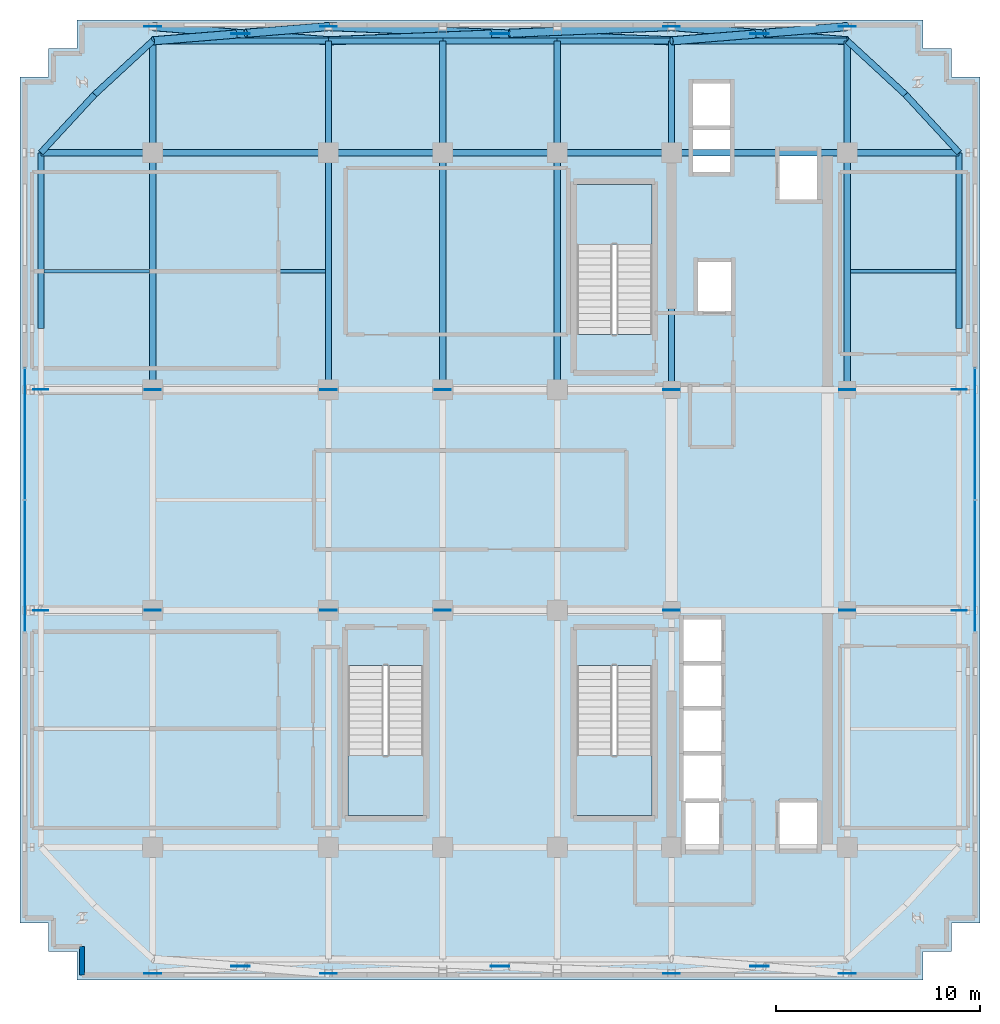
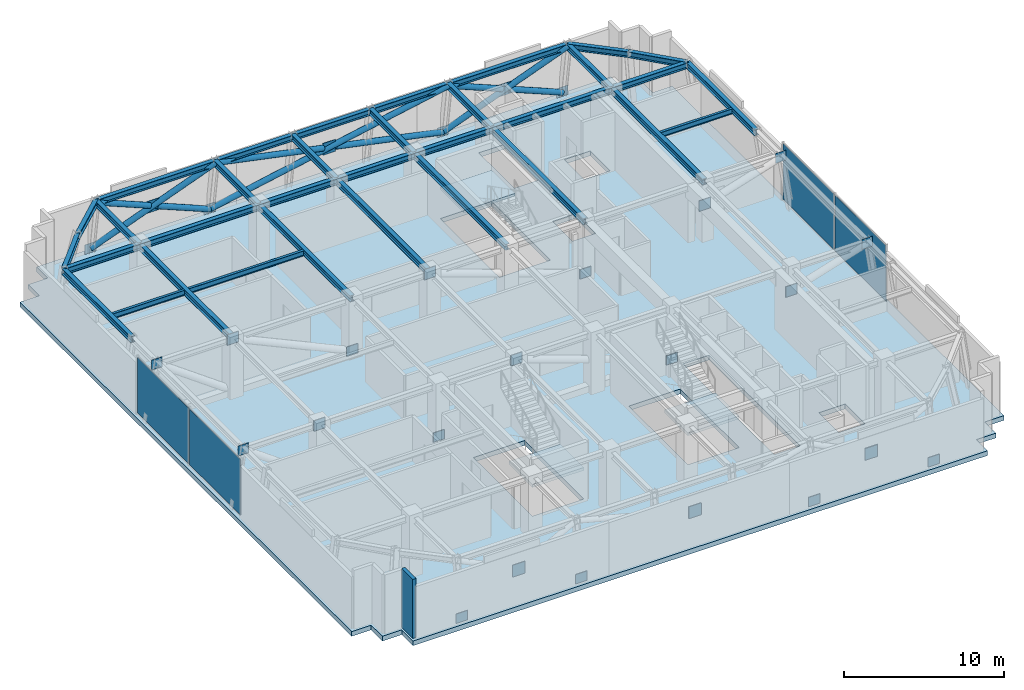
# One storey, part 8 of 15: 33 beams, 32 plates, 9 members, 4 slabs, 1 wall, 5 elements without a shape of their own.
"""IFC4 building model written with IfcOpenShell, lengths in metres."""

from ifc_helpers import new_model, si_unit, direction, frame, frame_2d, origin, origin_2d, place, context, subcontext, project, spatial, polyline, rectangle, hollow_circle, i_section, outline, extrude, source, transform, mapped, material, layer, layer_set, material_profile, profile_set, type_object, element, aggregate, save


model = new_model("IFC4")

# Units and contexts
model_context = context("Model", 3, precision=1e-05, world=origin(), true_north=direction((0.0, 1.0)))
body_context = subcontext(model_context, "Body", "Model", "MODEL_VIEW")
ifc_project = project(units=[si_unit("LENGTHUNIT", "METRE"), si_unit("AREAUNIT", "SQUARE_METRE"), si_unit("VOLUMEUNIT", "CUBIC_METRE"), si_unit("PLANEANGLEUNIT", "RADIAN"), si_unit("MASSUNIT", "GRAM", prefix="KILO")], contexts=[model_context])

# Site, building, storey
site_placement = place(None, origin())
site = spatial("IfcSite", under=ifc_project, at=site_placement, CompositionType="ELEMENT")
building_placement = place(site_placement, origin())
building = spatial("IfcBuilding", under=site, at=building_placement, Name="Nahalor Promenade Grand Hotel", CompositionType="ELEMENT")
storey_placement = place(building_placement, frame((0.0, 0.0, 261.5)))
storey = spatial("IfcBuildingStorey", under=building, at=storey_placement, Name="L67", CompositionType="ELEMENT", Elevation=261.5)

# Beams
ifc_material_1 = material(Name="Steel S355JR", Category="steel")
ifc_material_profile_1 = material_profile(ifc_material_1, i_section(OverallWidth=0.3, OverallDepth=0.45, WebThickness=0.014, FlangeThickness=0.026, at=origin_2d()), Name="HEB 450")
ifc_profile_set_1 = profile_set([ifc_material_profile_1], Name="Steel S355JR")
beam_type_1 = type_object("IfcBeamType", Name="Beam-Spandrel-HEB450", PredefinedType="SPANDREL", material=ifc_profile_set_1)
shared_shape_1 = source(origin(), body_context, "Body", "SweptSolid", [
    extrude(i_section(OverallWidth=0.3, OverallDepth=0.45, WebThickness=0.014, FlangeThickness=0.026, at=origin_2d()), origin(), (0.0, 0.0, 1.0), 8.60009765625),
])
for number, where, z_axis, x_axis, name in (
    (1, (-17.0, 22.47998046875, 4.27490234375), (1.0, 0.0, 0.0), (0.0, 1.0, 0.0), "BM-L67-SP-N-0"),
    (2, (8.39990234375, 22.47998046875, 4.27490234375), (1.0, 0.0, 0.0), (0.0, 1.0, 0.0), "BM-L67-SP-N-4"),
    (3, (-22.47998046875, 8.39990234375, 4.27490234375), (0.0, 1.0, 0.0), (-1.0, 0.0, 0.0), "BM-L67-SP-W-4"),
    (4, (22.47998046875, 8.39990234375, 4.27490234375), (0.0, 1.0, 0.0), (-1.0, 0.0, 0.0), "BM-L67-SP-E-4"),
):
    element("IfcBeam", number, at=place(storey_placement, frame(where, z_axis=z_axis, x_axis=x_axis)), inside=storey, type_object=beam_type_1, Name=name, PredefinedType="SPANDREL", context=body_context, shape_type="MappedRepresentation", body=[
        mapped(shared_shape_1, transform((0.0, 0.0, 0.0), scale=1.0)),
    ])
shared_shape_2 = source(origin(), body_context, "Body", "SweptSolid", [
    extrude(i_section(OverallWidth=0.3, OverallDepth=0.45, WebThickness=0.014, FlangeThickness=0.026, at=origin_2d()), origin(), (0.0, 0.0, 1.0), 5.599853515625),
])
for number, where, z_axis, x_axis, name in (
    (5, (-8.39990234375, 22.47998046875, 4.27490234375), (1.0, 0.0, 0.0), (0.0, 1.0, 0.0), "BM-L67-SP-N-1"),
    (6, (2.800048828125, 22.47998046875, 4.27490234375), (1.0, 0.0, 0.0), (0.0, 1.0, 0.0), "BM-L67-SP-N-3"),
):
    element("IfcBeam", number, at=place(storey_placement, frame(where, z_axis=z_axis, x_axis=x_axis)), inside=storey, type_object=beam_type_1, Name=name, PredefinedType="SPANDREL", context=body_context, shape_type="MappedRepresentation", body=[
        mapped(shared_shape_2, transform((0.0, 0.0, 0.0), scale=1.0)),
    ])
shared_shape_3 = source(origin(), body_context, "Body", "SweptSolid", [
    extrude(i_section(OverallWidth=0.3, OverallDepth=0.45, WebThickness=0.014, FlangeThickness=0.026, at=origin_2d()), origin(), (0.0, 0.0, 1.0), 5.60009765625),
])
beam_1_placement = place(storey_placement, frame((-2.800048828125, 22.47998046875, 4.27490234375), z_axis=(1.0, 0.0, 0.0), x_axis=(0.0, 1.0, 0.0)))
element("IfcBeam", 7, at=beam_1_placement, inside=storey, type_object=beam_type_1, Name="BM-L67-SP-N-2", PredefinedType="SPANDREL", context=body_context, shape_type="MappedRepresentation", body=[
    mapped(shared_shape_3, transform((0.0, 0.0, 0.0), scale=1.0)),
])
shared_shape_4 = source(origin(), body_context, "Body", "SweptSolid", [
    extrude(i_section(OverallWidth=0.3, OverallDepth=0.45, WebThickness=0.014, FlangeThickness=0.026, at=origin_2d()), origin(), (0.0, 0.0, 1.0), 3.878173828125),
])
for number, where, z_axis, x_axis, name in (
    (8, (-17.0, 22.47998046875, 4.27490234375), (-0.73492893846, -0.678144125843, 0.0), (0.678144125843, -0.73492893846, 0.0), "BM-L67-SPC-NW-1"),
    (9, (-19.85009765625, 19.85009765625, 4.27490234375), (-0.678144125843, -0.73492893846, 0.0), (0.73492893846, -0.678144125843, 0.0), "BM-L67-SPC-NW-2"),
    (10, (17.0, 22.47998046875, 4.27490234375), (0.73492893846, -0.678144125843, 0.0), (0.678144125843, 0.73492893846, 0.0), "BM-L67-SPC-NE-1"),
    (11, (19.85009765625, 19.85009765625, 4.27490234375), (0.678144125843, -0.73492893846, 0.0), (0.73492893846, 0.678144125843, 0.0), "BM-L67-SPC-NE-2"),
):
    element("IfcBeam", number, at=place(storey_placement, frame(where, z_axis=z_axis, x_axis=x_axis)), inside=storey, type_object=beam_type_1, Name=name, PredefinedType="SPANDREL", context=body_context, shape_type="MappedRepresentation", body=[
        mapped(shared_shape_4, transform((0.0, 0.0, 0.0), scale=1.0)),
    ])
ifc_material_profile_2 = material_profile(ifc_material_1, i_section(OverallWidth=0.3, OverallDepth=0.45, WebThickness=0.014, FlangeThickness=0.026, at=origin_2d()), Name="HEB 450")
ifc_profile_set_2 = profile_set([ifc_material_profile_2], Name="Steel S355JR")
beam_type_2 = type_object("IfcBeamType", Name="Beam-Girder-HEB450", PredefinedType="BEAM", material=ifc_profile_set_2)
shared_shape_5 = source(origin(), body_context, "Body", "SweptSolid", [
    extrude(i_section(OverallWidth=0.3, OverallDepth=0.45, WebThickness=0.014, FlangeThickness=0.026, at=origin_2d()), origin(), (0.0, 0.0, 1.0), 8.60009765625),
])
for number, where, z_axis, x_axis, name in (
    (12, (-17.0, 17.0, 4.27490234375), (1.0, 0.0, 0.0), (0.0, 1.0, 0.0), "BM-L67-GX-3-1"),
    (13, (8.39990234375, 17.0, 4.27490234375), (1.0, 0.0, 0.0), (0.0, 1.0, 0.0), "BM-L67-GX-3-5"),
):
    element("IfcBeam", number, at=place(storey_placement, frame(where, z_axis=z_axis, x_axis=x_axis)), inside=storey, type_object=beam_type_2, Name=name, PredefinedType="BEAM", context=body_context, shape_type="MappedRepresentation", body=[
        mapped(shared_shape_5, transform((0.0, 0.0, 0.0), scale=1.0)),
    ])
shared_shape_6 = source(origin(), body_context, "Body", "SweptSolid", [
    extrude(i_section(OverallWidth=0.3, OverallDepth=0.45, WebThickness=0.014, FlangeThickness=0.026, at=origin_2d()), origin(), (0.0, 0.0, 1.0), 5.599853515625),
])
for number, where, z_axis, x_axis, name in (
    (14, (-8.39990234375, 17.0, 4.27490234375), (1.0, 0.0, 0.0), (0.0, 1.0, 0.0), "BM-L67-GX-3-2"),
    (15, (2.800048828125, 17.0, 4.27490234375), (1.0, 0.0, 0.0), (0.0, 1.0, 0.0), "BM-L67-GX-3-4"),
):
    element("IfcBeam", number, at=place(storey_placement, frame(where, z_axis=z_axis, x_axis=x_axis)), inside=storey, type_object=beam_type_2, Name=name, PredefinedType="BEAM", context=body_context, shape_type="MappedRepresentation", body=[
        mapped(shared_shape_6, transform((0.0, 0.0, 0.0), scale=1.0)),
    ])
shared_shape_7 = source(origin(), body_context, "Body", "SweptSolid", [
    extrude(i_section(OverallWidth=0.3, OverallDepth=0.45, WebThickness=0.014, FlangeThickness=0.026, at=origin_2d()), origin(), (0.0, 0.0, 1.0), 5.60009765625),
])
beam_2_placement = place(storey_placement, frame((-2.800048828125, 17.0, 4.27490234375), z_axis=(1.0, 0.0, 0.0), x_axis=(0.0, 1.0, 0.0)))
element("IfcBeam", 16, at=beam_2_placement, inside=storey, type_object=beam_type_2, Name="BM-L67-GX-3-3", PredefinedType="BEAM", context=body_context, shape_type="MappedRepresentation", body=[
    mapped(shared_shape_7, transform((0.0, 0.0, 0.0), scale=1.0)),
])
shared_shape_8 = source(origin(), body_context, "Body", "SweptSolid", [
    extrude(i_section(OverallWidth=0.3, OverallDepth=0.45, WebThickness=0.014, FlangeThickness=0.026, at=origin_2d()), origin(), (0.0, 0.0, 1.0), 11.60009765625),
])
for number, where, z_axis, x_axis, name in (
    (17, (-17.0, 5.39990234375, 4.27490234375), (0.0, 1.0, 0.0), (-1.0, 0.0, 0.0), "BM-L67-GY-0-3"),
    (18, (-8.39990234375, 5.39990234375, 4.27490234375), (0.0, 1.0, 0.0), (-1.0, 0.0, 0.0), "BM-L67-GY-1-3"),
    (19, (-2.800048828125, 5.39990234375, 4.27490234375), (0.0, 1.0, 0.0), (-1.0, 0.0, 0.0), "BM-L67-GY-2-3"),
    (20, (2.800048828125, 5.39990234375, 4.27490234375), (0.0, 1.0, 0.0), (-1.0, 0.0, 0.0), "BM-L67-GY-3-3"),
    (21, (8.39990234375, 5.39990234375, 4.27490234375), (0.0, 1.0, 0.0), (-1.0, 0.0, 0.0), "BM-L67-GY-4-3"),
    (22, (17.0, 5.39990234375, 4.27490234375), (0.0, 1.0, 0.0), (-1.0, 0.0, 0.0), "BM-L67-GY-5-3"),
):
    element("IfcBeam", number, at=place(storey_placement, frame(where, z_axis=z_axis, x_axis=x_axis)), inside=storey, type_object=beam_type_2, Name=name, PredefinedType="BEAM", context=body_context, shape_type="MappedRepresentation", body=[
        mapped(shared_shape_8, transform((0.0, 0.0, 0.0), scale=1.0)),
    ])
ifc_material_profile_3 = material_profile(ifc_material_1, i_section(OverallWidth=0.18, OverallDepth=0.4, WebThickness=0.0086, FlangeThickness=0.0135, at=origin_2d()), Name="IPE 400")
ifc_profile_set_3 = profile_set([ifc_material_profile_3], Name="Steel S355JR")
beam_type_3 = type_object("IfcBeamType", Name="Beam-Joist-IPE400", PredefinedType="JOIST", material=ifc_profile_set_3)
shared_shape_9 = source(origin(), body_context, "Body", "SweptSolid", [
    extrude(i_section(OverallWidth=0.18, OverallDepth=0.4, WebThickness=0.0086, FlangeThickness=0.0135, at=origin_2d()), origin(), (0.0, 0.0, 1.0), 8.300048828125),
])
beam_3_placement = place(storey_placement, frame((-16.85009765625, 11.199951171875, 4.300048828125), z_axis=(1.0, 0.0, 0.0), x_axis=(0.0, 1.0, 0.0)))
element("IfcBeam", 23, at=beam_3_placement, inside=storey, type_object=beam_type_3, Name="BM-L67-JSW-1-1", PredefinedType="JOIST", context=body_context, shape_type="MappedRepresentation", body=[
    mapped(shared_shape_9, transform((0.0, 0.0, 0.0), scale=1.0)),
])
shared_shape_10 = source(origin(), body_context, "Body", "SweptSolid", [
    extrude(i_section(OverallWidth=0.3, OverallDepth=0.45, WebThickness=0.014, FlangeThickness=0.026, at=origin_2d()), origin(), (0.0, 0.0, 1.0), 5.47998046875),
])
for number, where, z_axis, x_axis, name in (
    (24, (-22.47998046875, 17.0, 4.27490234375), (1.0, 0.0, 0.0), (0.0, 1.0, 0.0), "BM-L67-GX-3-0"),
    (25, (17.0, 17.0, 4.27490234375), (1.0, 0.0, 0.0), (0.0, 1.0, 0.0), "BM-L67-GX-3-6"),
    (26, (-17.0, 17.0, 4.27490234375), (0.0, 1.0, 0.0), (-1.0, 0.0, 0.0), "BM-L67-GY-0-4"),
    (27, (-8.39990234375, 17.0, 4.27490234375), (0.0, 1.0, 0.0), (-1.0, 0.0, 0.0), "BM-L67-GY-1-4"),
    (28, (-2.800048828125, 17.0, 4.27490234375), (0.0, 1.0, 0.0), (-1.0, 0.0, 0.0), "BM-L67-GY-2-4"),
    (29, (2.800048828125, 17.0, 4.27490234375), (0.0, 1.0, 0.0), (-1.0, 0.0, 0.0), "BM-L67-GY-3-4"),
    (30, (8.39990234375, 17.0, 4.27490234375), (0.0, 1.0, 0.0), (-1.0, 0.0, 0.0), "BM-L67-GY-4-4"),
    (31, (17.0, 17.0, 4.27490234375), (0.0, 1.0, 0.0), (-1.0, 0.0, 0.0), "BM-L67-GY-5-4"),
):
    element("IfcBeam", number, at=place(storey_placement, frame(where, z_axis=z_axis, x_axis=x_axis)), inside=storey, type_object=beam_type_2, Name=name, PredefinedType="BEAM", context=body_context, shape_type="MappedRepresentation", body=[
        mapped(shared_shape_10, transform((0.0, 0.0, 0.0), scale=1.0)),
    ])
shared_shape_11 = source(origin(), body_context, "Body", "SweptSolid", [
    extrude(i_section(OverallWidth=0.18, OverallDepth=0.4, WebThickness=0.0086, FlangeThickness=0.0135, at=origin_2d()), origin(), (0.0, 0.0, 1.0), 5.18017578125),
])
for number, where, z_axis, x_axis, name in (
    (32, (-22.330078125, 11.199951171875, 4.300048828125), (1.0, 0.0, 0.0), (0.0, 1.0, 0.0), "BM-L67-JSW-1-0"),
    (33, (17.14990234375, 11.199951171875, 4.300048828125), (1.0, 0.0, 0.0), (0.0, 1.0, 0.0), "BM-L67-JSE-1-2"),
):
    element("IfcBeam", number, at=place(storey_placement, frame(where, z_axis=z_axis, x_axis=x_axis)), inside=storey, type_object=beam_type_3, Name=name, PredefinedType="JOIST", context=body_context, shape_type="MappedRepresentation", body=[
        mapped(shared_shape_11, transform((0.0, 0.0, 0.0), scale=1.0)),
    ])

# Members
ifc_material_2 = material(Name="Steel S355J2", Category="steel")
ifc_material_profile_4 = material_profile(ifc_material_2, hollow_circle(Radius=0.2032, WallThickness=0.02, at=origin_2d()), Name="CHS 406.4x20")
ifc_profile_set_4 = profile_set([ifc_material_profile_4], Name="Steel S355J2")
member_type = type_object("IfcMemberType", Name="Mem-BeltDiag-CHS406", PredefinedType="BRACE", material=ifc_profile_set_4)
shared_shape_12 = source(origin(), body_context, "Body", "SweptSolid", [
    extrude(hollow_circle(Radius=0.2032, WallThickness=0.02, at=origin_2d()), origin(), (0.0, 0.0, 1.0), 9.48974609375),
])
for number, where, z_axis, x_axis, name in (
    (34, (-17.0, 23.179931640625, 0.300048828125), (0.906259433855, -0.073759319731, 0.41623719356), (0.081120514078, 0.99670430028, 0.0), "BT-L67-N-D1-0"),
    (35, (8.39990234375, 23.179931640625, 0.300048828125), (0.906259433855, -0.073759319731, 0.41623719356), (0.081120514078, 0.99670430028, 0.0), "BT-L67-N-D1-2"),
):
    element("IfcMember", number, at=place(storey_placement, frame(where, z_axis=z_axis, x_axis=x_axis)), inside=storey, type_object=member_type, Name=name, PredefinedType="BRACE", context=body_context, shape_type="MappedRepresentation", body=[
        mapped(shared_shape_12, transform((0.0, 0.0, 0.0), scale=1.0)),
    ])
shared_shape_13 = source(origin(), body_context, "Body", "SweptSolid", [
    extrude(hollow_circle(Radius=0.2032, WallThickness=0.02, at=origin_2d()), origin(), (0.0, 0.0, 1.0), 4.466552734375),
])
for number, where, z_axis, x_axis, name in (
    (36, (-8.39990234375, 23.179931640625, 0.300048828125), (-0.906262059154, -0.073736279722, 0.416235559738), (0.081095107965, -0.996706367725, 0.0), "BT-L67-N-D2-0A"),
    (37, (-12.9521484375, 22.8095703125, 2.390869140625), (-0.906258405204, -0.073790642161, 0.416233881522), (0.081154827167, -0.996701506986, 0.0), "BT-L67-N-D2-0B"),
    (38, (17.0, 23.179931640625, 0.300048828125), (-0.906262059154, -0.073736279722, 0.416235559738), (0.081095107965, -0.996706367725, 0.0), "BT-L67-N-D2-2A"),
    (39, (12.44775390625, 22.8095703125, 2.390869140625), (-0.906258405204, -0.073790642161, 0.416233881522), (0.081154827167, -0.996701506986, 0.0), "BT-L67-N-D2-2B"),
):
    element("IfcMember", number, at=place(storey_placement, frame(where, z_axis=z_axis, x_axis=x_axis)), inside=storey, type_object=member_type, Name=name, PredefinedType="BRACE", context=body_context, shape_type="MappedRepresentation", body=[
        mapped(shared_shape_13, transform((0.0, 0.0, 0.0), scale=1.0)),
    ])
shared_shape_14 = source(origin(), body_context, "Body", "SweptSolid", [
    extrude(hollow_circle(Radius=0.2032, WallThickness=0.02, at=origin_2d()), origin(), (0.0, 0.0, 1.0), 17.272216796875),
])
member_placement = place(storey_placement, frame((-8.39990234375, 23.179931640625, 0.300048828125), z_axis=(0.972655520728, -0.040524957535, 0.228689671421), x_axis=(0.041628128947, 0.999133173746, 0.0)))
element("IfcMember", 40, at=member_placement, inside=storey, type_object=member_type, Name="BT-L67-N-D1-1", PredefinedType="BRACE", context=body_context, shape_type="MappedRepresentation", body=[
    mapped(shared_shape_14, transform((0.0, 0.0, 0.0), scale=1.0)),
])
shared_shape_15 = source(origin(), body_context, "Body", "SweptSolid", [
    extrude(hollow_circle(Radius=0.2032, WallThickness=0.02, at=origin_2d()), origin(), (0.0, 0.0, 1.0), 8.172607421875),
])
for number, where, z_axis, x_axis, name in (
    (41, (8.39990234375, 23.179931640625, 0.300048828125), (-0.972659339385, -0.040507557254, 0.228676512377), (0.041610122871, -0.999133923793, 0.0), "BT-L67-N-D2-1A"),
    (42, (-0.45068359375, 22.811279296875, 2.381103515625), (-0.972658161962, -0.040537381013, 0.22867623556), (0.041640755613, -0.999132647586, 0.0), "BT-L67-N-D2-1B"),
):
    element("IfcMember", number, at=place(storey_placement, frame(where, z_axis=z_axis, x_axis=x_axis)), inside=storey, type_object=member_type, Name=name, PredefinedType="BRACE", context=body_context, shape_type="MappedRepresentation", body=[
        mapped(shared_shape_15, transform((0.0, 0.0, 0.0), scale=1.0)),
    ])

# Stair, slab
ifc_material_3 = material(Name="Concrete B-50 (C40/50)", Category="concrete")
stair_type_1 = type_object("IfcStairType", Name="Stair-ST1", PredefinedType="HALF_TURN_STAIR", material=ifc_material_3)
stair_1_placement = place(storey_placement, origin())
stair_1 = element("IfcStair", 43, at=stair_1_placement, inside=storey, type_object=stair_type_1, Name="L67 ST1", PredefinedType="HALF_TURN_STAIR")
ifc_layer_1 = layer(ifc_material_3, 0.199951171875)
ifc_layer_set_1 = layer_set([ifc_layer_1], Name="Concrete B-50 (C40/50)")
slab_type_1 = type_object("IfcSlabType", Name="Landing-ST1", PredefinedType="LANDING", material=ifc_layer_set_1)
slab_1_placement = place(storey_placement, frame((0.0, 0.0, 2.199951171875)))
slab_1 = element("IfcSlab", 44, at=slab_1_placement, type_object=slab_type_1, Name="ST1 landing 1", PredefinedType="LANDING", context=body_context, shape_type="SweptSolid", body=[
    extrude(outline(polyline([(7.449951171875, 12.52001953125), (7.449951171875, 15.449951171875), (3.75, 15.449951171875), (3.75, 12.52001953125), (7.449951171875, 12.52001953125)])), origin(), (0.0, 0.0, 1.0), 0.199951171875),
])
aggregate(stair_1, [slab_1])

stair_type_2 = type_object("IfcStairType", Name="Stair-ST2", PredefinedType="HALF_TURN_STAIR", material=ifc_material_3)
stair_2_placement = place(storey_placement, origin())
stair_2 = element("IfcStair", 45, at=stair_2_placement, inside=storey, type_object=stair_type_2, Name="L67 ST2", PredefinedType="HALF_TURN_STAIR")
ifc_layer_2 = layer(ifc_material_3, 0.2099609375)
ifc_layer_set_2 = layer_set([ifc_layer_2], Name="Concrete B-50 (C40/50)")
slab_type_2 = type_object("IfcSlabType", Name="Landing-ST2", PredefinedType="LANDING", material=ifc_layer_set_2)
slab_2_placement = place(storey_placement, frame((0.0, 0.0, 2.18994140625)))
slab_2 = element("IfcSlab", 46, at=slab_2_placement, type_object=slab_type_2, Name="ST2 landing 1", PredefinedType="LANDING", context=body_context, shape_type="SweptSolid", body=[
    extrude(outline(polyline([(3.75, -12.52001953125), (3.75, -15.449951171875), (7.449951171875, -15.449951171875), (7.449951171875, -12.52001953125), (3.75, -12.52001953125)])), origin(), (0.0, 0.0, 1.0), 0.2099609375),
])
aggregate(stair_2, [slab_2])

stair_type_3 = type_object("IfcStairType", Name="Stair-ST3", PredefinedType="HALF_TURN_STAIR", material=ifc_material_3)
stair_3_placement = place(storey_placement, origin())
stair_3 = element("IfcStair", 47, at=stair_3_placement, inside=storey, type_object=stair_type_3, Name="L67 ST3", PredefinedType="HALF_TURN_STAIR")
ifc_layer_3 = layer(ifc_material_3, 0.219970703125)
ifc_layer_set_3 = layer_set([ifc_layer_3], Name="Concrete B-50 (C40/50)")
slab_type_3 = type_object("IfcSlabType", Name="Landing-ST3", PredefinedType="LANDING", material=ifc_layer_set_3)
slab_3_placement = place(storey_placement, frame((0.0, 0.0, 2.179931640625)))
slab_3 = element("IfcSlab", 48, at=slab_3_placement, type_object=slab_type_3, Name="ST3 landing 1", PredefinedType="LANDING", context=body_context, shape_type="SweptSolid", body=[
    extrude(outline(polyline([(-7.449951171875, -12.52001953125), (-7.449951171875, -15.449951171875), (-3.75, -15.449951171875), (-3.75, -12.52001953125), (-7.449951171875, -12.52001953125)])), origin(), (0.0, 0.0, 1.0), 0.219970703125),
])
aggregate(stair_3, [slab_3])

# Slab
ifc_material_4 = material(Name="Concrete B-60 (C50/60)", Category="concrete")
ifc_layer_4 = layer(ifc_material_4, 0.360107421875)
ifc_layer_set_4 = layer_set([ifc_layer_4], Name="Concrete B-60 (C50/60)")
slab_type_4 = type_object("IfcSlabType", Name="Slab-Refuge-360", PredefinedType="FLOOR", material=ifc_layer_set_4)
slab_4_placement = place(storey_placement, frame((0.0, 0.0, -0.360107421875)))
element("IfcSlab", 49, at=slab_4_placement, inside=storey, type_object=slab_type_4, Name="L67 Suspended Structural Floor Slab", PredefinedType="FLOOR", context=body_context, shape_type="SweptSolid", body=[
    extrude(outline(polyline([(-20.699951171875, -23.5), (20.699951171875, -23.5), (20.699951171875, -22.10009765625), (22.10009765625, -22.10009765625), (22.10009765625, -20.699951171875), (23.5, -20.699951171875), (23.5, 20.699951171875), (22.10009765625, 20.699951171875), (22.10009765625, 22.10009765625), (20.699951171875, 22.10009765625), (20.699951171875, 23.5), (-20.699951171875, 23.5), (-20.699951171875, 22.10009765625), (-22.10009765625, 22.10009765625), (-22.10009765625, 20.699951171875), (-23.5, 20.699951171875), (-23.5, -20.699951171875), (-22.10009765625, -20.699951171875), (-22.10009765625, -22.10009765625), (-20.699951171875, -22.10009765625), (-20.699951171875, -23.5)]), holes=[polyline([(3.75, 8.10009765625), (7.449951171875, 8.10009765625), (7.449951171875, 15.449951171875), (3.75, 15.449951171875), (3.75, 8.10009765625)]), polyline([(3.75, -15.449951171875), (7.449951171875, -15.449951171875), (7.449951171875, -8.10009765625), (3.75, -8.10009765625), (3.75, -15.449951171875)]), polyline([(-7.449951171875, -15.449951171875), (-3.75, -15.449951171875), (-3.75, -8.10009765625), (-7.449951171875, -8.10009765625), (-7.449951171875, -15.449951171875)]), polyline([(8.9599609375, -17.18994140625), (10.840087890625, -17.18994140625), (10.840087890625, -5.81005859375), (8.9599609375, -5.81005859375), (8.9599609375, -17.18994140625)]), polyline([(9.409912109375, 16.010009765625), (11.2900390625, 16.010009765625), (11.2900390625, 20.43994140625), (9.409912109375, 20.43994140625), (9.409912109375, 16.010009765625)]), polyline([(9.659912109375, 9.2099609375), (11.340087890625, 9.2099609375), (11.340087890625, 11.68994140625), (9.659912109375, 11.68994140625), (9.659912109375, 9.2099609375)]), polyline([(13.659912109375, 14.659912109375), (15.5400390625, 14.659912109375), (15.5400390625, 17.139892578125), (13.659912109375, 17.139892578125), (13.659912109375, 14.659912109375)]), polyline([(13.659912109375, -17.139892578125), (15.5400390625, -17.139892578125), (15.5400390625, -14.659912109375), (13.659912109375, -14.659912109375), (13.659912109375, -17.139892578125)])]), origin(), (0.0, 0.0, 1.0), 0.360107421875),
])

# Plates
ifc_layer_5 = layer(ifc_material_2, 0.035888671875)
ifc_layer_set_5 = layer_set([ifc_layer_5], Name="Steel S355J2")
plate_type_1 = type_object("IfcPlateType", Name="Plate-CrossGusset-36", PredefinedType="USERDEFINED", material=ifc_layer_set_5)
shared_shape_16 = source(origin(), body_context, "Body", "SweptSolid", [
    extrude(rectangle(XDim=0.89990234375, YDim=0.035888671875, at=origin_2d()), origin(), (0.0, 0.0, 1.0), 0.89990234375),
])
for number, where, z_axis, x_axis, name in (
    (50, (-12.699951171875, -22.830078125, 1.824951171875), (0.0, 0.0, 1.0), (1.0, 0.0, 0.0), "PL-L67-BTX-S-0"),
    (51, (0.0, -22.830078125, 1.824951171875), (0.0, 0.0, 1.0), (1.0, 0.0, 0.0), "PL-L67-BTX-S-1"),
    (52, (12.699951171875, -22.830078125, 1.824951171875), (0.0, 0.0, 1.0), (1.0, 0.0, 0.0), "PL-L67-BTX-S-2"),
    (53, (-12.699951171875, 22.830078125, 1.824951171875), (0.0, 0.0, 1.0), (1.0, 0.0, 0.0), "PL-L67-BTX-N-0"),
    (54, (0.0, 22.830078125, 1.824951171875), (0.0, 0.0, 1.0), (1.0, 0.0, 0.0), "PL-L67-BTX-N-1"),
    (55, (12.699951171875, 22.830078125, 1.824951171875), (0.0, 0.0, 1.0), (1.0, 0.0, 0.0), "PL-L67-BTX-N-2"),
):
    element("IfcPlate", number, at=place(storey_placement, frame(where, z_axis=z_axis, x_axis=x_axis)), inside=storey, type_object=plate_type_1, Name=name, ObjectType="GUSSET_PLATE", PredefinedType="USERDEFINED", context=body_context, shape_type="MappedRepresentation", body=[
        mapped(shared_shape_16, transform((0.0, 0.0, 0.0), scale=1.0)),
    ])
ifc_layer_6 = layer(ifc_material_2, 0.031982421875)
ifc_layer_set_6 = layer_set([ifc_layer_6], Name="Steel S355J2")
plate_type_2 = type_object("IfcPlateType", Name="Plate-Gusset-32", PredefinedType="USERDEFINED", material=ifc_layer_set_6)
shared_shape_17 = source(origin(), body_context, "Body", "SweptSolid", [
    extrude(rectangle(XDim=0.800048828125, YDim=0.031982421875, at=origin_2d()), origin(), (0.0, 0.0, 1.0), 0.800048828125),
])
for number, where, z_axis, x_axis, name in (
    (56, (8.39990234375, -5.39990234375, -0.10009765625), (0.0, 0.0, 1.0), (1.0, 0.0, 0.0), "PL-L67-OU-1-1"),
    (57, (-2.800048828125, -5.39990234375, 3.85009765625), (0.0, 0.0, 1.0), (1.0, 0.0, 0.0), "PL-L67-OU-1-2"),
    (58, (-8.39990234375, -5.39990234375, -0.10009765625), (0.0, 0.0, 1.0), (1.0, 0.0, 0.0), "PL-L67-OU-1-3"),
    (59, (-17.0, -5.39990234375, 3.85009765625), (0.0, 0.0, 1.0), (1.0, 0.0, 0.0), "PL-L67-OU-1-4"),
    (60, (17.0, -5.39990234375, 2.14990234375), (0.0, 0.0, 1.0), (1.0, 0.0, 0.0), "PL-L67-OU-1-6"),
    (61, (8.39990234375, 5.39990234375, -0.10009765625), (0.0, 0.0, 1.0), (1.0, 0.0, 0.0), "PL-L67-OU-2-1"),
    (62, (-2.800048828125, 5.39990234375, 3.85009765625), (0.0, 0.0, 1.0), (1.0, 0.0, 0.0), "PL-L67-OU-2-2"),
    (63, (-8.39990234375, 5.39990234375, -0.10009765625), (0.0, 0.0, 1.0), (1.0, 0.0, 0.0), "PL-L67-OU-2-3"),
    (64, (-17.0, 5.39990234375, 3.85009765625), (0.0, 0.0, 1.0), (1.0, 0.0, 0.0), "PL-L67-OU-2-4"),
    (65, (17.0, 5.39990234375, 2.14990234375), (0.0, 0.0, 1.0), (1.0, 0.0, 0.0), "PL-L67-OU-2-6"),
):
    element("IfcPlate", number, at=place(storey_placement, frame(where, z_axis=z_axis, x_axis=x_axis)), inside=storey, type_object=plate_type_2, Name=name, ObjectType="GUSSET_PLATE", PredefinedType="USERDEFINED", context=body_context, shape_type="MappedRepresentation", body=[
        mapped(shared_shape_17, transform((0.0, 0.0, 0.0), scale=1.0)),
    ])
ifc_layer_7 = layer(ifc_material_1, 0.028076171875)
ifc_layer_set_7 = layer_set([ifc_layer_7], Name="Steel S355JR")
plate_type_3 = type_object("IfcPlateType", Name="Plate-Gusset-28", PredefinedType="USERDEFINED", material=ifc_layer_set_7)
shared_shape_18 = source(origin(), body_context, "Body", "SweptSolid", [
    extrude(rectangle(XDim=0.75, YDim=0.028076171875, at=origin_2d()), origin(), (0.0, 0.0, 1.0), 0.75),
])
for number, where, z_axis, x_axis, name in (
    (66, (-22.47998046875, -5.39990234375, 3.875), (0.0, 0.0, 1.0), (1.0, 0.0, 0.0), "PL-L67-OU-1-5"),
    (67, (22.47998046875, -5.39990234375, 3.875), (0.0, 0.0, 1.0), (1.0, 0.0, 0.0), "PL-L67-OU-1-7"),
    (68, (-22.47998046875, 5.39990234375, 3.875), (0.0, 0.0, 1.0), (1.0, 0.0, 0.0), "PL-L67-OU-2-5"),
    (69, (22.47998046875, 5.39990234375, 3.875), (0.0, 0.0, 1.0), (1.0, 0.0, 0.0), "PL-L67-OU-2-7"),
):
    element("IfcPlate", number, at=place(storey_placement, frame(where, z_axis=z_axis, x_axis=x_axis)), inside=storey, type_object=plate_type_3, Name=name, ObjectType="GUSSET_PLATE", PredefinedType="USERDEFINED", context=body_context, shape_type="MappedRepresentation", body=[
        mapped(shared_shape_18, transform((0.0, 0.0, 0.0), scale=1.0)),
    ])
ifc_layer_8 = layer(ifc_material_2, 0.031982421875)
ifc_layer_set_8 = layer_set([ifc_layer_8], Name="Steel S355J2")
plate_type_4 = type_object("IfcPlateType", Name="Plate-BeltGusset-32", PredefinedType="USERDEFINED", material=ifc_layer_set_8)
shared_shape_19 = source(origin(), body_context, "Body", "SweptSolid", [
    extrude(rectangle(XDim=0.820068359375, YDim=0.031982421875, at=origin_2d()), origin(), (0.0, 0.0, 1.0), 0.820068359375),
])
for number, where, z_axis, x_axis, name in (
    (70, (-17.0, -23.179931640625, -0.10986328125), (0.0, 0.0, 1.0), (1.0, 0.0, 0.0), "PL-L67-BELT-S-1"),
    (71, (-8.39990234375, -23.179931640625, -0.10986328125), (0.0, 0.0, 1.0), (1.0, 0.0, 0.0), "PL-L67-BELT-S-2"),
    (72, (8.39990234375, -23.179931640625, -0.10986328125), (0.0, 0.0, 1.0), (1.0, 0.0, 0.0), "PL-L67-BELT-S-3"),
    (73, (17.0, -23.179931640625, -0.10986328125), (0.0, 0.0, 1.0), (1.0, 0.0, 0.0), "PL-L67-BELT-S-4"),
    (74, (-17.0, 23.179931640625, -0.10986328125), (0.0, 0.0, 1.0), (1.0, 0.0, 0.0), "PL-L67-BELT-N-1"),
    (75, (-8.39990234375, 23.179931640625, -0.10986328125), (0.0, 0.0, 1.0), (1.0, 0.0, 0.0), "PL-L67-BELT-N-2"),
    (76, (8.39990234375, 23.179931640625, -0.10986328125), (0.0, 0.0, 1.0), (1.0, 0.0, 0.0), "PL-L67-BELT-N-3"),
    (77, (17.0, 23.179931640625, -0.10986328125), (0.0, 0.0, 1.0), (1.0, 0.0, 0.0), "PL-L67-BELT-N-4"),
):
    element("IfcPlate", number, at=place(storey_placement, frame(where, z_axis=z_axis, x_axis=x_axis)), inside=storey, type_object=plate_type_4, Name=name, ObjectType="GUSSET_PLATE", PredefinedType="USERDEFINED", context=body_context, shape_type="MappedRepresentation", body=[
        mapped(shared_shape_19, transform((0.0, 0.0, 0.0), scale=1.0)),
    ])

# Curtain wall, plates
ifc_material_5 = material(Name="Anodised Bronze Aluminium EN AW-6063 T6", Category="aluminium")
curtain_wall_type = type_object("IfcCurtainWallType", Name="CW6 Crown Botanical Conservatory Curtain Wall", PredefinedType="USERDEFINED", material=ifc_material_5)
curtain_wall_1_placement = place(storey_placement, origin())
curtain_wall_1 = element("IfcCurtainWall", 78, at=curtain_wall_1_placement, inside=storey, type_object=curtain_wall_type, Name="L67 Curtain Wall CW-L67-W", ObjectType="UNITISED_CURTAIN_WALL", PredefinedType="USERDEFINED")
ifc_material_6 = material(Name="Low-E Laminated Solar Glass", Category="glass")
ifc_layer_9 = layer(ifc_material_6, 0.033935546875)
ifc_layer_set_9 = layer_set([ifc_layer_9], Name="Low-E Laminated Solar Glass")
plate_type_5 = type_object("IfcPlateType", Name="CWP6 Conservatory Solar-Select IGU 34mm", PredefinedType="CURTAIN_PANEL", material=ifc_layer_set_9)
shared_shape_20 = source(origin(), body_context, "Body", "SweptSolid", [
    extrude(rectangle(XDim=6.387451171875, YDim=0.033935546875, at=origin_2d()), origin(), (0.0, 0.0, 1.0), 4.22998046875),
])
plate_1_placement = place(storey_placement, frame((-23.260009765625, -3.231201171875, 0.135009765625), z_axis=(0.0, 0.0, 1.0), x_axis=(0.0, 1.0, 0.0)))
plate_1 = element("IfcPlate", 79, at=plate_1_placement, type_object=plate_type_5, Name="CW-L67-W Glazing Panel 0-0", PredefinedType="CURTAIN_PANEL", context=body_context, shape_type="MappedRepresentation", body=[
    mapped(shared_shape_20, transform((0.0, 0.0, 0.0), scale=1.0)),
])
plate_2_placement = place(storey_placement, frame((-23.260009765625, 3.231201171875, 0.135009765625), z_axis=(0.0, 0.0, 1.0), x_axis=(0.0, 1.0, 0.0)))
plate_2 = element("IfcPlate", 80, at=plate_2_placement, type_object=plate_type_5, Name="CW-L67-W Glazing Panel 1-0", PredefinedType="CURTAIN_PANEL", context=body_context, shape_type="MappedRepresentation", body=[
    mapped(shared_shape_20, transform((0.0, 0.0, 0.0), scale=1.0)),
])
aggregate(curtain_wall_1, [plate_1, plate_2])

curtain_wall_2_placement = place(storey_placement, origin())
curtain_wall_2 = element("IfcCurtainWall", 81, at=curtain_wall_2_placement, inside=storey, type_object=curtain_wall_type, Name="L67 Curtain Wall CW-L67-E", ObjectType="UNITISED_CURTAIN_WALL", PredefinedType="USERDEFINED")
plate_3_placement = place(storey_placement, frame((23.260009765625, -3.231201171875, 0.135009765625), z_axis=(0.0, 0.0, 1.0), x_axis=(0.0, 1.0, 0.0)))
plate_3 = element("IfcPlate", 82, at=plate_3_placement, type_object=plate_type_5, Name="CW-L67-E Glazing Panel 0-0", PredefinedType="CURTAIN_PANEL", context=body_context, shape_type="MappedRepresentation", body=[
    mapped(shared_shape_20, transform((0.0, 0.0, 0.0), scale=1.0)),
])
plate_4_placement = place(storey_placement, frame((23.260009765625, 3.231201171875, 0.135009765625), z_axis=(0.0, 0.0, 1.0), x_axis=(0.0, 1.0, 0.0)))
plate_4 = element("IfcPlate", 83, at=plate_4_placement, type_object=plate_type_5, Name="CW-L67-E Glazing Panel 1-0", PredefinedType="CURTAIN_PANEL", context=body_context, shape_type="MappedRepresentation", body=[
    mapped(shared_shape_20, transform((0.0, 0.0, 0.0), scale=1.0)),
])
aggregate(curtain_wall_2, [plate_3, plate_4])

# Wall
ifc_material_7 = material(Name="Concrete B-40 (C32/40)", Category="concrete")
ifc_layer_10 = layer(ifc_material_7, 0.25)
ifc_layer_set_10 = layer_set([ifc_layer_10], Name="Concrete B-40 (C32/40)")
wall_type = type_object("IfcWallType", Name="Wall-BronzePier-250", PredefinedType="STANDARD", material=ifc_layer_set_10)
shared_shape_21 = source(origin(), body_context, "Body", "SweptSolid", [
    extrude(rectangle(XDim=1.39990234375, YDim=0.25, at=frame_2d((0.699951171875, 0.0))), origin(), (0.0, 0.0, 1.0), 4.5),
])
wall_placement = place(storey_placement, frame((-20.4599609375, -23.260009765625, 0.0), z_axis=(0.0, 0.0, 1.0), x_axis=(0.0, 1.0, 0.0)))
element("IfcWall", 84, at=wall_placement, inside=storey, type_object=wall_type, Name="W-L67-SR-16", PredefinedType="STANDARD", context=body_context, shape_type="MappedRepresentation", body=[
    mapped(shared_shape_21, transform((0.0, 0.0, 0.0), scale=1.0)),
])

save(model, "model.ifc")
